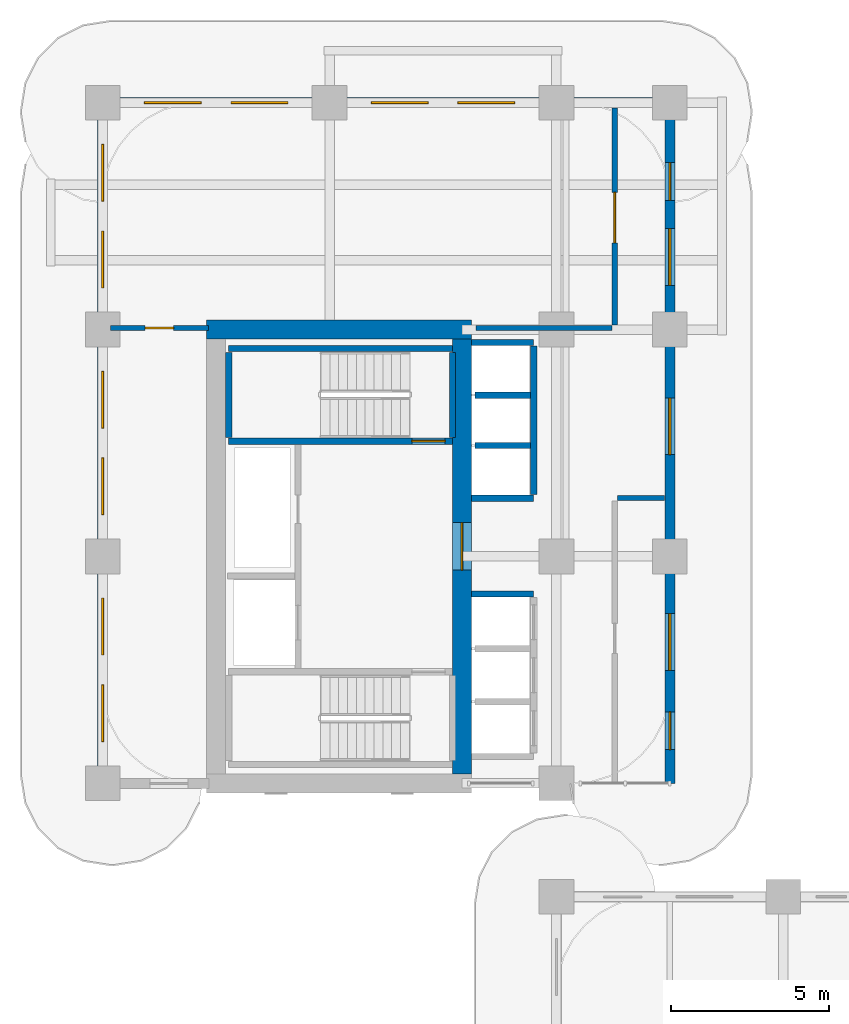
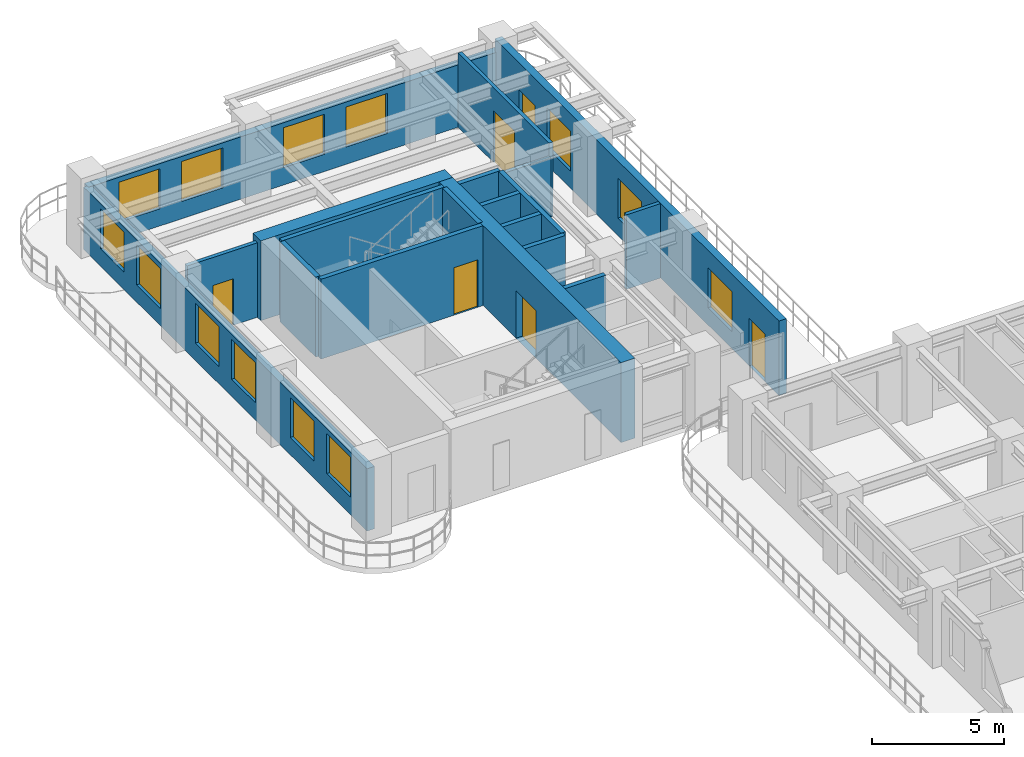
# One storey, part 11 of 19: 19 walls, 13 windows, 6 doors, 19 openings.
"""IFC4 building model written with IfcOpenShell, lengths in metres."""

from ifc_helpers import new_model, si_unit, derived_unit, direction, frame, frame_2d, origin, place, context, subcontext, project, spatial, rectangle, extrude, source, transform, mapped, material, layer, layer_set, type_object, type_shapes, element, fill, save


model = new_model("IFC4")

# Units and contexts
model_context = context("Model", 3, precision=1e-05, world=origin(), true_north=direction((0.0, 1.0)))
body_context = subcontext(model_context, "Body", "Model", "MODEL_VIEW")
ifc_project = project(units=[si_unit("LENGTHUNIT", "METRE"), si_unit("AREAUNIT", "SQUARE_METRE"), si_unit("VOLUMEUNIT", "CUBIC_METRE"), si_unit("PLANEANGLEUNIT", "RADIAN"), si_unit("MASSUNIT", "GRAM", prefix="KILO"), si_unit("THERMODYNAMICTEMPERATUREUNIT", "KELVIN"), si_unit("POWERUNIT", "WATT"), derived_unit("THERMALTRANSMITTANCEUNIT", [(si_unit("POWERUNIT", "WATT"), 1), (si_unit("AREAUNIT", "SQUARE_METRE"), -1), (si_unit("THERMODYNAMICTEMPERATUREUNIT", "KELVIN"), -1)])], contexts=[model_context])

# Site, building, storey
site_placement = place(None, origin())
site = spatial("IfcSite", under=ifc_project, at=site_placement, CompositionType="ELEMENT")
building_placement = place(site_placement, origin())
building = spatial("IfcBuilding", under=site, at=building_placement, Name="Zahravan Archway Hotel and Residences", CompositionType="ELEMENT")
storey_placement = place(building_placement, frame((0.0, 0.0, 62.0)))
storey = spatial("IfcBuildingStorey", under=building, at=storey_placement, Name="L14", CompositionType="ELEMENT", Elevation=62.0)

# Wall
ifc_material_1 = material(Name="Concrete C70/85", Category="concrete")
ifc_layer_1 = layer(ifc_material_1, 0.60009765625, Name="Concrete C70/85", Category="concrete")
ifc_layer_set_1 = layer_set([ifc_layer_1], Name="Concrete C70/85")
wall_type_1 = type_object("IfcWallType", Name="CW-CORE-600", PredefinedType="SHEAR", material=ifc_layer_set_1)
wall_1_placement = place(storey_placement, frame((3.300048828125, 39.60009765625, 0.0), z_axis=(0.0, 0.0, 1.0), x_axis=(1.0, 0.0, 0.0)))
element("IfcWall", 1, at=wall_1_placement, inside=storey, type_object=wall_type_1, Name="L14 Core B Shear N Wall 600 mm", PredefinedType="SHEAR", context=body_context, shape_type="SweptSolid", body=[
    extrude(rectangle(XDim=8.39990234375, YDim=0.60009765625, at=frame_2d((4.199951171875, 0.0))), origin(), (0.0, 0.0, 1.0), 3.699951171875),
])

# Wall, opening, door
wall_2_placement = place(storey_placement, frame((11.39990234375, 25.5, 0.0), z_axis=(0.0, 0.0, 1.0), x_axis=(0.0, 1.0, 0.0)))
wall_2 = element("IfcWall", 2, at=wall_2_placement, inside=storey, type_object=wall_type_1, Name="L14 Core B Shear E Wall 600 mm", PredefinedType="SHEAR", context=body_context, shape_type="SweptSolid", body=[
    extrude(rectangle(XDim=13.800048828125, YDim=0.60009765625, at=frame_2d((6.89990234375, 0.0))), origin(), (0.0, 0.0, 1.0), 3.699951171875),
])
opening_1_placement = place(wall_2_placement, frame((6.469970703125, 0.0, 0.0)))
opening_1 = element("IfcOpeningElement", 3, at=opening_1_placement, cuts=wall_2, Name="Opening FD-L1", PredefinedType="OPENING", context=body_context, shape_type="SweptSolid", body=[
    extrude(rectangle(XDim=1.5, YDim=2.199951171875, at=frame_2d((0.75, 1.10009765625))), frame((0.0, 0.31005859375, 0.0), z_axis=(0.0, -1.0, 0.0), x_axis=(1.0, 0.0, 0.0)), (0.0, 0.0, 1.0), 0.6201171875),
])
ifc_material_2 = material(Name="Fire-Rated Painted Steel", Category="steel")
door_type_1 = type_object("IfcDoorType", Name="FD-LOBBY-1500", OperationType="DOUBLE_DOOR_SINGLE_SWING", PredefinedType="DOOR", material=ifc_material_2)
shared_shape_1 = source(origin(), body_context, "Body", "SweptSolid", [
    extrude(rectangle(XDim=1.5, YDim=2.199951171875, at=frame_2d((0.75, 1.10009765625))), frame((0.0, 0.02490234375, 0.0), z_axis=(0.0, -1.0, 0.0), x_axis=(1.0, 0.0, 0.0)), (0.0, 0.0, 1.0), 0.050048828125),
])
type_shapes(door_type_1, [shared_shape_1])
door_1_placement = place(opening_1_placement, origin())
door_1 = element("IfcDoor", 4, at=door_1_placement, inside=storey, type_object=door_type_1, Name="L14 Core B FSAE Lobby Door", OperationType="DOUBLE_DOOR_SINGLE_SWING", OverallHeight=2.199951171875, OverallWidth=1.5, PredefinedType="DOOR", context=body_context, shape_type="MappedRepresentation", body=[
    mapped(shared_shape_1, transform((0.0, 0.0, 0.0), scale=1.0)),
])
fill(opening_1, door_1)

# Wall, openings, doors, windows
ifc_material_3 = material(Name="Agra Buff Sandstone & Insulated Backup", Category="masonry")
ifc_layer_2 = layer(ifc_material_3, 0.320068359375, Name="Agra Buff Sandstone & Insulated Backup", Category="masonry")
ifc_layer_set_2 = layer_set([ifc_layer_2], Name="Agra Buff Sandstone & Insulated Backup")
wall_type_2 = type_object("IfcWallType", Name="EW-SAND-320", PredefinedType="SOLIDWALL", material=ifc_layer_set_2)
wall_3_placement = place(storey_placement, frame((18.0, 25.199951171875, 0.0), z_axis=(0.0, 0.0, 1.0), x_axis=(0.0, 1.0, 0.0)))
wall_3 = element("IfcWall", 5, at=wall_3_placement, inside=storey, type_object=wall_type_2, Name="L14 Exterior Sandstone Wall WB-E", PredefinedType="SOLIDWALL", context=body_context, shape_type="SweptSolid", body=[
    extrude(rectangle(XDim=21.550048828125, YDim=0.320068359375, at=frame_2d((10.77490234375, 0.0))), origin(), (0.0, 0.0, 1.0), 3.449951171875),
])
opening_2_placement = place(wall_3_placement, frame((18.5, 0.0, 0.0)))
opening_2 = element("IfcOpeningElement", 6, at=opening_2_placement, cuts=wall_3, Name="Opening ED-BL1", PredefinedType="OPENING", context=body_context, shape_type="SweptSolid", body=[
    extrude(rectangle(XDim=1.199951171875, YDim=2.199951171875, at=frame_2d((0.60009765625, 1.10009765625))), frame((0.0, 0.169921875, 0.0), z_axis=(0.0, -1.0, 0.0), x_axis=(1.0, 0.0, 0.0)), (0.0, 0.0, 1.0), 0.340087890625),
])
opening_3_placement = place(wall_3_placement, frame((1.070068359375, 0.0, 0.0)))
opening_3 = element("IfcOpeningElement", 7, at=opening_3_placement, cuts=wall_3, Name="Opening ED-BL1", PredefinedType="OPENING", context=body_context, shape_type="SweptSolid", body=[
    extrude(rectangle(XDim=1.199951171875, YDim=2.199951171875, at=frame_2d((0.60009765625, 1.10009765625))), frame((0.0, 0.169921875, 0.0), z_axis=(0.0, -1.0, 0.0), x_axis=(1.0, 0.0, 0.0)), (0.0, 0.0, 1.0), 0.340087890625),
])
opening_4_placement = place(wall_3_placement, frame((3.5849609375, 0.0, 0.800048828125)))
opening_4 = element("IfcOpeningElement", 8, at=opening_4_placement, cuts=wall_3, Name="Opening W-02", PredefinedType="OPENING", context=body_context, shape_type="SweptSolid", body=[
    extrude(rectangle(XDim=1.800048828125, YDim=1.85009765625, at=frame_2d((0.89990234375, 0.925048828125))), frame((0.0, 0.169921875, 0.0), z_axis=(0.0, -1.0, 0.0), x_axis=(1.0, 0.0, 0.0)), (0.0, 0.0, 1.0), 0.340087890625),
])
opening_5_placement = place(wall_3_placement, frame((10.427978515625, 0.0, 0.800048828125)))
opening_5 = element("IfcOpeningElement", 9, at=opening_5_placement, cuts=wall_3, Name="Opening W-02", PredefinedType="OPENING", context=body_context, shape_type="SweptSolid", body=[
    extrude(rectangle(XDim=1.800048828125, YDim=1.85009765625, at=frame_2d((0.89990234375, 0.925048828125))), frame((0.0, 0.169921875, 0.0), z_axis=(0.0, -1.0, 0.0), x_axis=(1.0, 0.0, 0.0)), (0.0, 0.0, 1.0), 0.340087890625),
])
opening_6_placement = place(wall_3_placement, frame((15.800048828125, 0.0, 0.800048828125)))
opening_6 = element("IfcOpeningElement", 10, at=opening_6_placement, cuts=wall_3, Name="Opening W-02", PredefinedType="OPENING", context=body_context, shape_type="SweptSolid", body=[
    extrude(rectangle(XDim=1.800048828125, YDim=1.85009765625, at=frame_2d((0.89990234375, 0.925048828125))), frame((0.0, 0.169921875, 0.0), z_axis=(0.0, -1.0, 0.0), x_axis=(1.0, 0.0, 0.0)), (0.0, 0.0, 1.0), 0.340087890625),
])
ifc_material_4 = material(Name="Bronze-Anodized Glazed Aluminium", Category="aluminium")
door_type_2 = type_object("IfcDoorType", Name="ED-BALC-1200", OperationType="SLIDING_TO_LEFT", PredefinedType="DOOR", material=ifc_material_4)
shared_shape_2 = source(origin(), body_context, "Body", "SweptSolid", [
    extrude(rectangle(XDim=1.199951171875, YDim=2.199951171875, at=frame_2d((0.60009765625, 1.10009765625))), frame((0.0, 0.02490234375, 0.0), z_axis=(0.0, -1.0, 0.0), x_axis=(1.0, 0.0, 0.0)), (0.0, 0.0, 1.0), 0.050048828125),
])
type_shapes(door_type_2, [shared_shape_2])
door_2_placement = place(opening_2_placement, origin())
door_2 = element("IfcDoor", 11, at=door_2_placement, inside=storey, type_object=door_type_2, Name="L14 Outdoor Access Sliding Door (SLB-BAL-L14-NB)", OperationType="SLIDING_TO_LEFT", OverallHeight=2.199951171875, OverallWidth=1.199951171875, PredefinedType="DOOR", context=body_context, shape_type="MappedRepresentation", body=[
    mapped(shared_shape_2, transform((0.0, 0.0, 0.0), scale=1.0)),
])
fill(opening_2, door_2)
door_3_placement = place(opening_3_placement, origin())
door_3 = element("IfcDoor", 12, at=door_3_placement, inside=storey, type_object=door_type_2, Name="L14 Outdoor Access Sliding Door (SLB-BAL-L14-EB)", OperationType="SLIDING_TO_LEFT", OverallHeight=2.199951171875, OverallWidth=1.199951171875, PredefinedType="DOOR", context=body_context, shape_type="MappedRepresentation", body=[
    mapped(shared_shape_2, transform((0.0, 0.0, 0.0), scale=1.0)),
])
fill(opening_3, door_3)
ifc_material_5 = material(Name="Bronze-Anodized Thermal-Break Aluminium & Low-E Glass", Category="aluminium")
window_type = type_object("IfcWindowType", Name="WIN-TWR-1800", PartitioningType="DOUBLE_PANEL_VERTICAL", PredefinedType="WINDOW", material=ifc_material_5)
shared_shape_3 = source(origin(), body_context, "Body", "SweptSolid", [
    extrude(rectangle(XDim=1.800048828125, YDim=1.85009765625, at=frame_2d((0.89990234375, 0.925048828125))), frame((0.0, 0.030029296875, 0.0), z_axis=(0.0, -1.0, 0.0), x_axis=(1.0, 0.0, 0.0)), (0.0, 0.0, 1.0), 0.06005859375),
])
type_shapes(window_type, [shared_shape_3])
window_1_placement = place(opening_4_placement, origin())
window_1 = element("IfcWindow", 13, at=window_1_placement, inside=storey, type_object=window_type, Name="L14 Loggia Window 34", OverallHeight=1.85009765625, OverallWidth=1.800048828125, PartitioningType="DOUBLE_PANEL_VERTICAL", PredefinedType="WINDOW", context=body_context, shape_type="MappedRepresentation", body=[
    mapped(shared_shape_3, transform((0.0, 0.0, 0.0), scale=1.0)),
])
fill(opening_4, window_1)
window_2_placement = place(opening_5_placement, origin())
window_2 = element("IfcWindow", 14, at=window_2_placement, inside=storey, type_object=window_type, Name="L14 Loggia Window 35", OverallHeight=1.85009765625, OverallWidth=1.800048828125, PartitioningType="DOUBLE_PANEL_VERTICAL", PredefinedType="WINDOW", context=body_context, shape_type="MappedRepresentation", body=[
    mapped(shared_shape_3, transform((0.0, 0.0, 0.0), scale=1.0)),
])
fill(opening_5, window_2)
window_3_placement = place(opening_6_placement, origin())
window_3 = element("IfcWindow", 15, at=window_3_placement, inside=storey, type_object=window_type, Name="L14 Loggia Window 36", OverallHeight=1.85009765625, OverallWidth=1.800048828125, PartitioningType="DOUBLE_PANEL_VERTICAL", PredefinedType="WINDOW", context=body_context, shape_type="MappedRepresentation", body=[
    mapped(shared_shape_3, transform((0.0, 0.0, 0.0), scale=1.0)),
])
fill(opening_6, window_3)

# Wall, openings, windows
wall_4_placement = place(storey_placement, frame((0.0, 46.800048828125, 0.0), z_axis=(0.0, 0.0, 1.0), x_axis=(1.0, 0.0, 0.0)))
wall_4 = element("IfcWall", 16, at=wall_4_placement, inside=storey, type_object=wall_type_2, Name="L14 Exterior Sandstone Wall WB-N", PredefinedType="SOLIDWALL", context=body_context, shape_type="SweptSolid", body=[
    extrude(rectangle(XDim=18.0, YDim=0.320068359375, at=frame_2d((9.0, 0.0))), origin(), (0.0, 0.0, 1.0), 2.885009765625),
])
opening_7_placement = place(wall_4_placement, frame((1.324951171875, 0.0, 0.800048828125)))
opening_7 = element("IfcOpeningElement", 17, at=opening_7_placement, cuts=wall_4, Name="Opening W-02", PredefinedType="OPENING", context=body_context, shape_type="SweptSolid", body=[
    extrude(rectangle(XDim=1.800048828125, YDim=1.85009765625, at=frame_2d((0.89990234375, 0.925048828125))), frame((0.0, 0.169921875, 0.0), z_axis=(0.0, -1.0, 0.0), x_axis=(1.0, 0.0, 0.0)), (0.0, 0.0, 1.0), 0.340087890625),
])
opening_8_placement = place(wall_4_placement, frame((4.074951171875, 0.0, 0.800048828125)))
opening_8 = element("IfcOpeningElement", 18, at=opening_8_placement, cuts=wall_4, Name="Opening W-02", PredefinedType="OPENING", context=body_context, shape_type="SweptSolid", body=[
    extrude(rectangle(XDim=1.800048828125, YDim=1.85009765625, at=frame_2d((0.89990234375, 0.925048828125))), frame((0.0, 0.169921875, 0.0), z_axis=(0.0, -1.0, 0.0), x_axis=(1.0, 0.0, 0.0)), (0.0, 0.0, 1.0), 0.340087890625),
])
opening_9_placement = place(wall_4_placement, frame((8.52490234375, 0.0, 0.800048828125)))
opening_9 = element("IfcOpeningElement", 19, at=opening_9_placement, cuts=wall_4, Name="Opening W-02", PredefinedType="OPENING", context=body_context, shape_type="SweptSolid", body=[
    extrude(rectangle(XDim=1.800048828125, YDim=1.85009765625, at=frame_2d((0.89990234375, 0.925048828125))), frame((0.0, 0.169921875, 0.0), z_axis=(0.0, -1.0, 0.0), x_axis=(1.0, 0.0, 0.0)), (0.0, 0.0, 1.0), 0.340087890625),
])
opening_10_placement = place(wall_4_placement, frame((11.27490234375, 0.0, 0.800048828125)))
opening_10 = element("IfcOpeningElement", 20, at=opening_10_placement, cuts=wall_4, Name="Opening W-02", PredefinedType="OPENING", context=body_context, shape_type="SweptSolid", body=[
    extrude(rectangle(XDim=1.800048828125, YDim=1.85009765625, at=frame_2d((0.89990234375, 0.925048828125))), frame((0.0, 0.169921875, 0.0), z_axis=(0.0, -1.0, 0.0), x_axis=(1.0, 0.0, 0.0)), (0.0, 0.0, 1.0), 0.340087890625),
])
window_4_placement = place(opening_7_placement, origin())
window_4 = element("IfcWindow", 21, at=window_4_placement, inside=storey, type_object=window_type, Name="L14 Loggia Window 37", OverallHeight=1.85009765625, OverallWidth=1.800048828125, PartitioningType="DOUBLE_PANEL_VERTICAL", PredefinedType="WINDOW", context=body_context, shape_type="MappedRepresentation", body=[
    mapped(shared_shape_3, transform((0.0, 0.0, 0.0), scale=1.0)),
])
fill(opening_7, window_4)
window_5_placement = place(opening_8_placement, origin())
window_5 = element("IfcWindow", 22, at=window_5_placement, inside=storey, type_object=window_type, Name="L14 Loggia Window 38", OverallHeight=1.85009765625, OverallWidth=1.800048828125, PartitioningType="DOUBLE_PANEL_VERTICAL", PredefinedType="WINDOW", context=body_context, shape_type="MappedRepresentation", body=[
    mapped(shared_shape_3, transform((0.0, 0.0, 0.0), scale=1.0)),
])
fill(opening_8, window_5)
window_6_placement = place(opening_9_placement, origin())
window_6 = element("IfcWindow", 23, at=window_6_placement, inside=storey, type_object=window_type, Name="L14 Loggia Window 39", OverallHeight=1.85009765625, OverallWidth=1.800048828125, PartitioningType="DOUBLE_PANEL_VERTICAL", PredefinedType="WINDOW", context=body_context, shape_type="MappedRepresentation", body=[
    mapped(shared_shape_3, transform((0.0, 0.0, 0.0), scale=1.0)),
])
fill(opening_9, window_6)
window_7_placement = place(opening_10_placement, origin())
window_7 = element("IfcWindow", 24, at=window_7_placement, inside=storey, type_object=window_type, Name="L14 Loggia Window 40", OverallHeight=1.85009765625, OverallWidth=1.800048828125, PartitioningType="DOUBLE_PANEL_VERTICAL", PredefinedType="WINDOW", context=body_context, shape_type="MappedRepresentation", body=[
    mapped(shared_shape_3, transform((0.0, 0.0, 0.0), scale=1.0)),
])
fill(opening_10, window_7)

wall_5_placement = place(storey_placement, frame((0.0, 25.25, 0.0), z_axis=(0.0, 0.0, 1.0), x_axis=(0.0, 1.0, 0.0)))
wall_5 = element("IfcWall", 25, at=wall_5_placement, inside=storey, type_object=wall_type_2, Name="L14 Exterior Sandstone Wall WB-W", PredefinedType="SOLIDWALL", context=body_context, shape_type="SweptSolid", body=[
    extrude(rectangle(XDim=21.5, YDim=0.320068359375, at=frame_2d((10.75, 0.0))), origin(), (0.0, 0.0, 1.0), 2.885009765625),
])
opening_11_placement = place(wall_5_placement, frame((1.27490234375, 0.0, 0.800048828125)))
opening_11 = element("IfcOpeningElement", 26, at=opening_11_placement, cuts=wall_5, Name="Opening W-02", PredefinedType="OPENING", context=body_context, shape_type="SweptSolid", body=[
    extrude(rectangle(XDim=1.800048828125, YDim=1.85009765625, at=frame_2d((0.89990234375, 0.925048828125))), frame((0.0, 0.169921875, 0.0), z_axis=(0.0, -1.0, 0.0), x_axis=(1.0, 0.0, 0.0)), (0.0, 0.0, 1.0), 0.340087890625),
])
opening_12_placement = place(wall_5_placement, frame((4.02490234375, 0.0, 0.800048828125)))
opening_12 = element("IfcOpeningElement", 27, at=opening_12_placement, cuts=wall_5, Name="Opening W-02", PredefinedType="OPENING", context=body_context, shape_type="SweptSolid", body=[
    extrude(rectangle(XDim=1.800048828125, YDim=1.85009765625, at=frame_2d((0.89990234375, 0.925048828125))), frame((0.0, 0.169921875, 0.0), z_axis=(0.0, -1.0, 0.0), x_axis=(1.0, 0.0, 0.0)), (0.0, 0.0, 1.0), 0.340087890625),
])
opening_13_placement = place(wall_5_placement, frame((8.47509765625, 0.0, 0.800048828125)))
opening_13 = element("IfcOpeningElement", 28, at=opening_13_placement, cuts=wall_5, Name="Opening W-02", PredefinedType="OPENING", context=body_context, shape_type="SweptSolid", body=[
    extrude(rectangle(XDim=1.800048828125, YDim=1.85009765625, at=frame_2d((0.89990234375, 0.925048828125))), frame((0.0, 0.169921875, 0.0), z_axis=(0.0, -1.0, 0.0), x_axis=(1.0, 0.0, 0.0)), (0.0, 0.0, 1.0), 0.340087890625),
])
opening_14_placement = place(wall_5_placement, frame((11.22509765625, 0.0, 0.800048828125)))
opening_14 = element("IfcOpeningElement", 29, at=opening_14_placement, cuts=wall_5, Name="Opening W-02", PredefinedType="OPENING", context=body_context, shape_type="SweptSolid", body=[
    extrude(rectangle(XDim=1.800048828125, YDim=1.85009765625, at=frame_2d((0.89990234375, 0.925048828125))), frame((0.0, 0.169921875, 0.0), z_axis=(0.0, -1.0, 0.0), x_axis=(1.0, 0.0, 0.0)), (0.0, 0.0, 1.0), 0.340087890625),
])
opening_15_placement = place(wall_5_placement, frame((15.675048828125, 0.0, 0.800048828125)))
opening_15 = element("IfcOpeningElement", 30, at=opening_15_placement, cuts=wall_5, Name="Opening W-02", PredefinedType="OPENING", context=body_context, shape_type="SweptSolid", body=[
    extrude(rectangle(XDim=1.800048828125, YDim=1.85009765625, at=frame_2d((0.89990234375, 0.925048828125))), frame((0.0, 0.169921875, 0.0), z_axis=(0.0, -1.0, 0.0), x_axis=(1.0, 0.0, 0.0)), (0.0, 0.0, 1.0), 0.340087890625),
])
opening_16_placement = place(wall_5_placement, frame((18.425048828125, 0.0, 0.800048828125)))
opening_16 = element("IfcOpeningElement", 31, at=opening_16_placement, cuts=wall_5, Name="Opening W-02", PredefinedType="OPENING", context=body_context, shape_type="SweptSolid", body=[
    extrude(rectangle(XDim=1.800048828125, YDim=1.85009765625, at=frame_2d((0.89990234375, 0.925048828125))), frame((0.0, 0.169921875, 0.0), z_axis=(0.0, -1.0, 0.0), x_axis=(1.0, 0.0, 0.0)), (0.0, 0.0, 1.0), 0.340087890625),
])
window_8_placement = place(opening_11_placement, origin())
window_8 = element("IfcWindow", 32, at=window_8_placement, inside=storey, type_object=window_type, Name="L14 Loggia Window 41", OverallHeight=1.85009765625, OverallWidth=1.800048828125, PartitioningType="DOUBLE_PANEL_VERTICAL", PredefinedType="WINDOW", context=body_context, shape_type="MappedRepresentation", body=[
    mapped(shared_shape_3, transform((0.0, 0.0, 0.0), scale=1.0)),
])
fill(opening_11, window_8)
window_9_placement = place(opening_12_placement, origin())
window_9 = element("IfcWindow", 33, at=window_9_placement, inside=storey, type_object=window_type, Name="L14 Loggia Window 42", OverallHeight=1.85009765625, OverallWidth=1.800048828125, PartitioningType="DOUBLE_PANEL_VERTICAL", PredefinedType="WINDOW", context=body_context, shape_type="MappedRepresentation", body=[
    mapped(shared_shape_3, transform((0.0, 0.0, 0.0), scale=1.0)),
])
fill(opening_12, window_9)
window_10_placement = place(opening_13_placement, origin())
window_10 = element("IfcWindow", 34, at=window_10_placement, inside=storey, type_object=window_type, Name="L14 Loggia Window 43", OverallHeight=1.85009765625, OverallWidth=1.800048828125, PartitioningType="DOUBLE_PANEL_VERTICAL", PredefinedType="WINDOW", context=body_context, shape_type="MappedRepresentation", body=[
    mapped(shared_shape_3, transform((0.0, 0.0, 0.0), scale=1.0)),
])
fill(opening_13, window_10)
window_11_placement = place(opening_14_placement, origin())
window_11 = element("IfcWindow", 35, at=window_11_placement, inside=storey, type_object=window_type, Name="L14 Loggia Window 44", OverallHeight=1.85009765625, OverallWidth=1.800048828125, PartitioningType="DOUBLE_PANEL_VERTICAL", PredefinedType="WINDOW", context=body_context, shape_type="MappedRepresentation", body=[
    mapped(shared_shape_3, transform((0.0, 0.0, 0.0), scale=1.0)),
])
fill(opening_14, window_11)
window_12_placement = place(opening_15_placement, origin())
window_12 = element("IfcWindow", 36, at=window_12_placement, inside=storey, type_object=window_type, Name="L14 Loggia Window 45", OverallHeight=1.85009765625, OverallWidth=1.800048828125, PartitioningType="DOUBLE_PANEL_VERTICAL", PredefinedType="WINDOW", context=body_context, shape_type="MappedRepresentation", body=[
    mapped(shared_shape_3, transform((0.0, 0.0, 0.0), scale=1.0)),
])
fill(opening_15, window_12)
window_13_placement = place(opening_16_placement, origin())
window_13 = element("IfcWindow", 37, at=window_13_placement, inside=storey, type_object=window_type, Name="L14 Loggia Window 46", OverallHeight=1.85009765625, OverallWidth=1.800048828125, PartitioningType="DOUBLE_PANEL_VERTICAL", PredefinedType="WINDOW", context=body_context, shape_type="MappedRepresentation", body=[
    mapped(shared_shape_3, transform((0.0, 0.0, 0.0), scale=1.0)),
])
fill(opening_16, window_13)

# Wall
ifc_material_6 = material(Name="Fire-Rated Gypsum & Concrete Block", Category="concrete")
ifc_layer_3 = layer(ifc_material_6, 0.159912109375, Name="Fire-Rated Gypsum & Concrete Block", Category="concrete")
ifc_layer_set_3 = layer_set([ifc_layer_3], Name="Fire-Rated Gypsum & Concrete Block")
wall_type_3 = type_object("IfcWallType", Name="PW-CORR-160", PredefinedType="PARTITIONING", material=ifc_layer_set_3)
wall_6_placement = place(storey_placement, frame((16.340087890625, 34.25, 0.0), z_axis=(0.0, 0.0, 1.0), x_axis=(1.0, 0.0, 0.0)))
element("IfcWall", 38, at=wall_6_placement, inside=storey, type_object=wall_type_3, Name="L14 Partition WB-CS", PredefinedType="PARTITIONING", context=body_context, shape_type="SweptSolid", body=[
    extrude(rectangle(XDim=1.491943359375, YDim=0.159912109375, at=frame_2d((0.74609375, 0.0))), origin(), (0.0, 0.0, 1.0), 3.449951171875),
])

# Wall, opening, door
wall_7_placement = place(storey_placement, frame((16.25, 39.739990234375, 0.0), z_axis=(0.0, 0.0, 1.0), x_axis=(0.0, 1.0, 0.0)))
wall_7 = element("IfcWall", 39, at=wall_7_placement, inside=storey, type_object=wall_type_3, Name="L14 Partition WB-CN", PredefinedType="PARTITIONING", context=body_context, shape_type="SweptSolid", body=[
    extrude(rectangle(XDim=6.89208984375, YDim=0.159912109375, at=frame_2d((3.446044921875, 0.0))), origin(), (0.0, 0.0, 1.0), 3.449951171875),
])
opening_17_placement = place(wall_7_placement, frame((2.610107421875, 0.0, 0.0)))
opening_17 = element("IfcOpeningElement", 40, at=opening_17_placement, cuts=wall_7, Name="Opening D-P2", PredefinedType="OPENING", context=body_context, shape_type="SweptSolid", body=[
    extrude(rectangle(XDim=1.60009765625, YDim=2.39990234375, at=frame_2d((0.800048828125, 1.199951171875))), frame((0.0, 0.08984375, 0.0), z_axis=(0.0, -1.0, 0.0), x_axis=(1.0, 0.0, 0.0)), (0.0, 0.0, 1.0), 0.179931640625),
])
door_type_3 = type_object("IfcDoorType", Name="ID-PUBLIC-1600", OperationType="DOUBLE_DOOR_SINGLE_SWING", PredefinedType="DOOR", material=ifc_material_4)
shared_shape_4 = source(origin(), body_context, "Body", "SweptSolid", [
    extrude(rectangle(XDim=1.60009765625, YDim=2.39990234375, at=frame_2d((0.800048828125, 1.199951171875))), frame((0.0, 0.02490234375, 0.0), z_axis=(0.0, -1.0, 0.0), x_axis=(1.0, 0.0, 0.0)), (0.0, 0.0, 1.0), 0.050048828125),
])
type_shapes(door_type_3, [shared_shape_4])
door_4_placement = place(opening_17_placement, origin())
door_4 = element("IfcDoor", 41, at=door_4_placement, inside=storey, type_object=door_type_3, Name="L14 Wing B Conference Hall Door", OperationType="DOUBLE_DOOR_SINGLE_SWING", OverallHeight=2.39990234375, OverallWidth=1.60009765625, PredefinedType="DOOR", context=body_context, shape_type="MappedRepresentation", body=[
    mapped(shared_shape_4, transform((0.0, 0.0, 0.0), scale=1.0)),
])
fill(opening_17, door_4)

# Walls
wall_8_placement = place(storey_placement, frame((11.840087890625, 39.64990234375, 0.0), z_axis=(0.0, 0.0, 1.0), x_axis=(1.0, 0.0, 0.0)))
element("IfcWall", 42, at=wall_8_placement, inside=storey, type_object=wall_type_3, Name="L14 Partition WB-NS2", PredefinedType="PARTITIONING", context=body_context, shape_type="SweptSolid", body=[
    extrude(rectangle(XDim=4.31982421875, YDim=0.159912109375, at=frame_2d((2.159912109375, 0.0))), origin(), (0.0, 0.0, 1.0), 2.885009765625),
])
ifc_layer_4 = layer(ifc_material_6, 0.199951171875, Name="Fire-Rated Gypsum & Concrete Block", Category="concrete")
ifc_layer_set_4 = layer_set([ifc_layer_4], Name="Fire-Rated Gypsum & Concrete Block")
wall_type_4 = type_object("IfcWallType", Name="PW-SHAFT-200", PredefinedType="PARTITIONING", material=ifc_layer_set_4)
for number, where, z_axis, x_axis, name in (
    (43, (11.7099609375, 31.2099609375, 0.0), (0.0, 0.0, 1.0), (1.0, 0.0, 0.0), "L14 Partition B1-N"),
    (44, (11.7099609375, 34.25, 0.0), (0.0, 0.0, 1.0), (1.0, 0.0, 0.0), "L14 Partition B2-S"),
    (45, (11.7099609375, 39.18994140625, 0.0), (0.0, 0.0, 1.0), (1.0, 0.0, 0.0), "L14 Partition B2-N"),
):
    element("IfcWall", number, at=place(storey_placement, frame(where, z_axis=z_axis, x_axis=x_axis)), inside=storey, type_object=wall_type_4, Name=name, PredefinedType="PARTITIONING", context=body_context, shape_type="SweptSolid", body=[
        extrude(rectangle(XDim=1.9599609375, YDim=0.199951171875, at=frame_2d((0.97998046875, 0.0))), origin(), (0.0, 0.0, 1.0), 3.449951171875),
    ])
wall_9_placement = place(storey_placement, frame((13.679931640625, 34.360107421875, 0.0), z_axis=(0.0, 0.0, 1.0), x_axis=(0.0, 1.0, 0.0)))
element("IfcWall", 46, at=wall_9_placement, inside=storey, type_object=wall_type_4, Name="L14 Partition B2-E", PredefinedType="PARTITIONING", context=body_context, shape_type="SweptSolid", body=[
    extrude(rectangle(XDim=4.719970703125, YDim=0.199951171875, at=frame_2d((2.35986328125, 0.0))), origin(), (0.0, 0.0, 1.0), 3.449951171875),
])
for number, where, z_axis, x_axis, name in (
    (47, (11.81005859375, 35.919921875, 0.0), (0.0, 0.0, 1.0), (1.0, 0.0, 0.0), "L14 Partition B2-D"),
    (48, (11.81005859375, 37.52001953125, 0.0), (0.0, 0.0, 1.0), (1.0, 0.0, 0.0), "L14 Partition B2-D"),
):
    element("IfcWall", number, at=place(storey_placement, frame(where, z_axis=z_axis, x_axis=x_axis)), inside=storey, type_object=wall_type_4, Name=name, PredefinedType="PARTITIONING", context=body_context, shape_type="SweptSolid", body=[
        extrude(rectangle(XDim=1.760009765625, YDim=0.199951171875, at=frame_2d((0.8798828125, 0.0))), origin(), (0.0, 0.0, 1.0), 3.449951171875),
    ])

# Wall, opening, door
ifc_material_7 = material(Name="Acoustic Stud Partition")
ifc_layer_5 = layer(ifc_material_7, 0.169921875, Name="Acoustic Stud Partition")
ifc_layer_set_5 = layer_set([ifc_layer_5], Name="Acoustic Stud Partition")
wall_type_5 = type_object("IfcWallType", Name="PW-UNIT-170", PredefinedType="PARTITIONING", material=ifc_layer_set_5)
wall_10_placement = place(storey_placement, frame((0.239990234375, 39.64990234375, 0.0), z_axis=(0.0, 0.0, 1.0), x_axis=(1.0, 0.0, 0.0)))
wall_10 = element("IfcWall", 49, at=wall_10_placement, inside=storey, type_object=wall_type_5, Name="L14 Partition WB-NS", PredefinedType="PARTITIONING", context=body_context, shape_type="SweptSolid", body=[
    extrude(rectangle(XDim=3.1201171875, YDim=0.169921875, at=frame_2d((1.56005859375, 0.0))), origin(), (0.0, 0.0, 1.0), 3.449951171875),
])
opening_18_placement = place(wall_10_placement, frame((1.110107421875, 0.0, 0.0)))
opening_18 = element("IfcOpeningElement", 50, at=opening_18_placement, cuts=wall_10, Name="Opening D-I2", PredefinedType="OPENING", context=body_context, shape_type="SweptSolid", body=[
    extrude(rectangle(XDim=0.89990234375, YDim=2.14990234375, at=frame_2d((0.449951171875, 1.074951171875))), frame((0.0, 0.094970703125, 0.0), z_axis=(0.0, -1.0, 0.0), x_axis=(1.0, 0.0, 0.0)), (0.0, 0.0, 1.0), 0.18994140625),
])
ifc_material_8 = material(Name="Hardwood Veneer Timber", Category="wood")
door_type_4 = type_object("IfcDoorType", Name="ID-INT-900", OperationType="NOTDEFINED", PredefinedType="DOOR", material=ifc_material_8)
shared_shape_5 = source(origin(), body_context, "Body", "SweptSolid", [
    extrude(rectangle(XDim=0.89990234375, YDim=2.14990234375, at=frame_2d((0.449951171875, 1.074951171875))), frame((0.0, 0.02490234375, 0.0), z_axis=(0.0, -1.0, 0.0), x_axis=(1.0, 0.0, 0.0)), (0.0, 0.0, 1.0), 0.050048828125),
])
type_shapes(door_type_4, [shared_shape_5])
door_5_placement = place(opening_18_placement, origin())
door_5 = element("IfcDoor", 51, at=door_5_placement, inside=storey, type_object=door_type_4, Name="L14 Wing B West Loggia Salon Door", OperationType="SINGLE_SWING_RIGHT", OverallHeight=2.14990234375, OverallWidth=0.89990234375, PredefinedType="DOOR", context=body_context, shape_type="MappedRepresentation", body=[
    mapped(shared_shape_5, transform((0.0, 0.0, 0.0), scale=1.0)),
])
fill(opening_18, door_5)

# Walls
ifc_material_9 = material(Name="Concrete C50/60", Category="concrete")
ifc_layer_6 = layer(ifc_material_9, 0.199951171875, Name="Concrete C50/60", Category="concrete")
ifc_layer_set_6 = layer_set([ifc_layer_6], Name="Concrete C50/60")
wall_type_6 = type_object("IfcWallType", Name="SW-STAIR-200", PredefinedType="SHEAR", material=ifc_layer_set_6)
wall_11_placement = place(storey_placement, frame((4.0, 39.0, 0.0), z_axis=(0.0, 0.0, 1.0), x_axis=(1.0, 0.0, 0.0)))
element("IfcWall", 52, at=wall_11_placement, inside=storey, type_object=wall_type_6, Name="L14 Stairwell RC Wall CB-SB2N", PredefinedType="SHEAR", context=body_context, shape_type="SweptSolid", body=[
    extrude(rectangle(XDim=7.10009765625, YDim=0.199951171875, at=frame_2d((3.550048828125, 0.0))), origin(), (0.0, 0.0, 1.0), 3.699951171875),
])
for number, where, z_axis, x_axis, name in (
    (53, (4.0, 36.179931640625, 0.0), (0.0, 0.0, 1.0), (0.0, 1.0, 0.0), "L14 Stairwell RC Wall CB-SB2W"),
    (54, (11.10009765625, 36.179931640625, 0.0), (0.0, 0.0, 1.0), (0.0, 1.0, 0.0), "L14 Stairwell RC Wall CB-SB2E"),
):
    element("IfcWall", number, at=place(storey_placement, frame(where, z_axis=z_axis, x_axis=x_axis)), inside=storey, type_object=wall_type_6, Name=name, PredefinedType="SHEAR", context=body_context, shape_type="SweptSolid", body=[
        extrude(rectangle(XDim=2.699951171875, YDim=0.199951171875, at=frame_2d((1.35009765625, 0.0))), origin(), (0.0, 0.0, 1.0), 3.699951171875),
    ])

# Wall, opening, door
wall_12_placement = place(storey_placement, frame((4.0, 36.06005859375, 0.0), z_axis=(0.0, 0.0, 1.0), x_axis=(1.0, 0.0, 0.0)))
wall_12 = element("IfcWall", 55, at=wall_12_placement, inside=storey, type_object=wall_type_6, Name="L14 Stairwell RC Wall CB-SB2S", PredefinedType="SHEAR", context=body_context, shape_type="SweptSolid", body=[
    extrude(rectangle(XDim=7.10009765625, YDim=0.199951171875, at=frame_2d((3.550048828125, 0.0))), origin(), (0.0, 0.0, 1.0), 3.699951171875),
])
opening_19_placement = place(wall_12_placement, frame((5.81494140625, 0.0, 0.0)))
opening_19 = element("IfcOpeningElement", 56, at=opening_19_placement, cuts=wall_12, Name="Opening FD-S1", PredefinedType="OPENING", context=body_context, shape_type="SweptSolid", body=[
    extrude(rectangle(XDim=1.050048828125, YDim=2.199951171875, at=frame_2d((0.52490234375, 1.10009765625))), frame((0.0, 0.10986328125, 0.0), z_axis=(0.0, -1.0, 0.0), x_axis=(1.0, 0.0, 0.0)), (0.0, 0.0, 1.0), 0.219970703125),
])
door_type_5 = type_object("IfcDoorType", Name="FD-STAIR-1100", OperationType="NOTDEFINED", PredefinedType="DOOR", material=ifc_material_2)
shared_shape_6 = source(origin(), body_context, "Body", "SweptSolid", [
    extrude(rectangle(XDim=1.050048828125, YDim=2.199951171875, at=frame_2d((0.52490234375, 1.10009765625))), frame((0.0, 0.02490234375, 0.0), z_axis=(0.0, -1.0, 0.0), x_axis=(1.0, 0.0, 0.0)), (0.0, 0.0, 1.0), 0.050048828125),
])
type_shapes(door_type_5, [shared_shape_6])
door_6_placement = place(opening_19_placement, origin())
door_6 = element("IfcDoor", 57, at=door_6_placement, inside=storey, type_object=door_type_5, Name="L14 Stair ST-B2 Door", OperationType="SINGLE_SWING_LEFT", OverallHeight=2.199951171875, OverallWidth=1.050048828125, PredefinedType="DOOR", context=body_context, shape_type="MappedRepresentation", body=[
    mapped(shared_shape_6, transform((0.0, 0.0, 0.0), scale=1.0)),
])
fill(opening_19, door_6)

save(model, "model.ifc")
